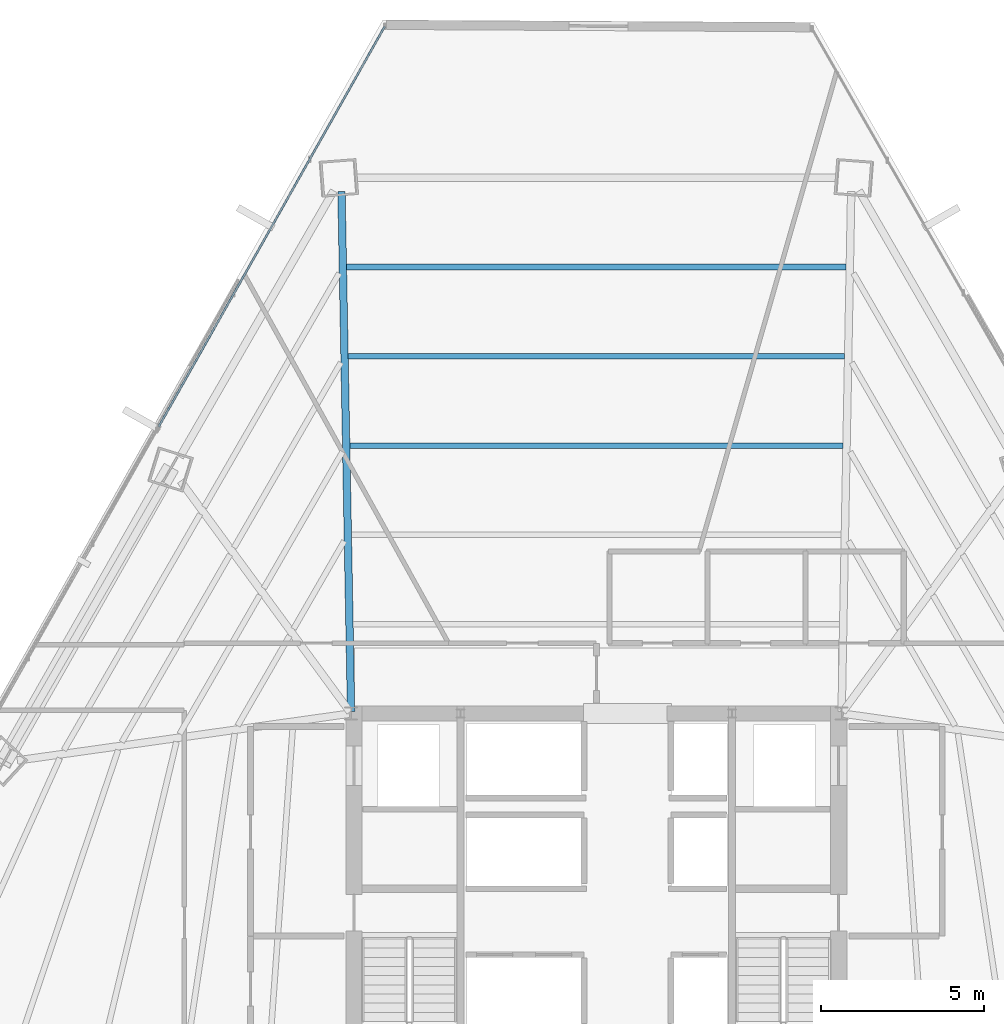
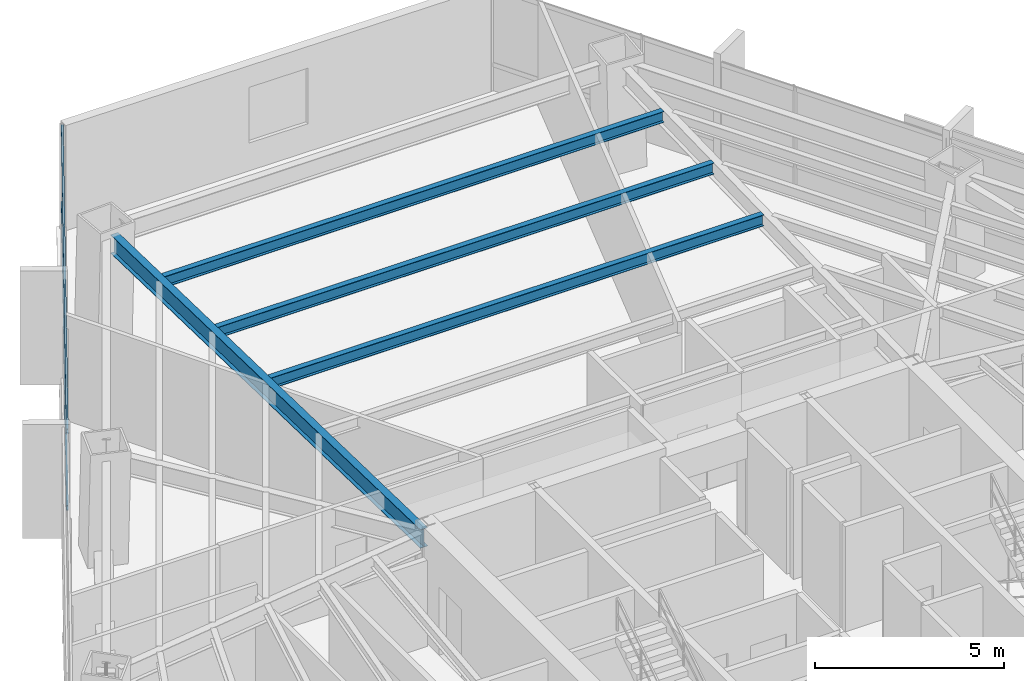
# One storey, part 24 of 35: 4 beams, 2 members, 1 element without a shape of its own.
"""IFC4 building model written with IfcOpenShell, lengths in metres."""

from ifc_helpers import new_model, si_unit, direction, frame, origin, origin_2d, place, context, subcontext, project, spatial, hollow_rectangle, i_section, extrude, source, transform, mapped, material, material_profile, profile_set, type_object, type_shapes, element, aggregate, save


model = new_model("IFC4")

# Units and contexts
model_context = context("Model", 3, precision=1e-05, world=origin(), true_north=direction((0.0, 1.0)))
body_context = subcontext(model_context, "Body", "Model", "MODEL_VIEW")
ifc_project = project(units=[si_unit("LENGTHUNIT", "METRE"), si_unit("AREAUNIT", "SQUARE_METRE"), si_unit("VOLUMEUNIT", "CUBIC_METRE"), si_unit("PLANEANGLEUNIT", "RADIAN"), si_unit("MASSUNIT", "GRAM", prefix="KILO")], contexts=[model_context])

# Site, building, storey
site_placement = place(None, origin())
site = spatial("IfcSite", under=ifc_project, at=site_placement, CompositionType="ELEMENT")
building_placement = place(site_placement, origin())
building = spatial("IfcBuilding", under=site, at=building_placement, Name="Caelisora Broadcast Tower", CompositionType="ELEMENT")
storey_placement = place(building_placement, frame((0.0, 0.0, 87.14990234375)))
storey = spatial("IfcBuildingStorey", under=building, at=storey_placement, Name="L22", CompositionType="ELEMENT", Elevation=87.14990234375)

# Beams
ifc_material_1 = material(Name="Steel Grade 350 (AS/NZS 3679.1)", Category="steel")
ifc_material_profile_1 = material_profile(ifc_material_1, i_section(OverallWidth=0.22802734375, OverallDepth=0.602294921875, WebThickness=0.010498046875, FlangeThickness=0.014892578125, at=origin_2d()), Name="Steel Grade 350 (AS/NZS 3679.1)")
ifc_profile_set_1 = profile_set([ifc_material_profile_1], Name="Steel Grade 350 (AS/NZS 3679.1)")
beam_type_1 = type_object("IfcBeamType", Name="PG04", PredefinedType="BEAM", material=ifc_profile_set_1)
shared_shape_1 = source(origin(), body_context, "Body", "SweptSolid", [
    extrude(i_section(OverallWidth=0.22802734375, OverallDepth=0.602294921875, WebThickness=0.010498046875, FlangeThickness=0.014892578125, at=origin_2d()), origin(), (0.0, 0.0, 1.0), 15.906005859375),
])
type_shapes(beam_type_1, [shared_shape_1])
beam_1_placement = place(storey_placement, frame((30.498779296875, 30.06005859375, 3.098876953125), z_axis=(-0.018418735536, 0.999830360702, 0.0), x_axis=(-0.999830360702, -0.018418735536, 0.0)))
element("IfcBeam", 1, at=beam_1_placement, inside=storey, type_object=beam_type_1, Name="L22 beam PG04", PredefinedType="BEAM", context=body_context, shape_type="MappedRepresentation", body=[
    mapped(shared_shape_1, transform((0.0, 0.0, 0.0), scale=1.0)),
])
ifc_material_profile_2 = material_profile(ifc_material_1, i_section(OverallWidth=0.172119140625, OverallDepth=0.358642578125, WebThickness=0.008056640625, FlangeThickness=0.012939453125, at=origin_2d()), Name="Steel Grade 350 (AS/NZS 3679.1)")
ifc_profile_set_2 = profile_set([ifc_material_profile_2], Name="Steel Grade 350 (AS/NZS 3679.1)")
beam_type_2 = type_object("IfcBeamType", Name="SB02", PredefinedType="JOIST", material=ifc_profile_set_2)
shared_shape_2 = source(origin(), body_context, "Body", "SweptSolid", [
    extrude(i_section(OverallWidth=0.172119140625, OverallDepth=0.358642578125, WebThickness=0.008056640625, FlangeThickness=0.012939453125, at=origin_2d()), origin(), (0.0, 0.0, 1.0), 15.07958984375),
])
beam_2_placement = place(storey_placement, frame((45.539794921875, 38.191650390625, 3.220703125), z_axis=(-1.0, 0.0, 0.0), x_axis=(0.0, -1.0, 0.0)))
element("IfcBeam", 2, at=beam_2_placement, inside=storey, type_object=beam_type_2, Name="L22 beam SB02", PredefinedType="JOIST", context=body_context, shape_type="MappedRepresentation", body=[
    mapped(shared_shape_2, transform((0.0, 0.0, 0.0), scale=1.0)),
])
shared_shape_3 = source(origin(), body_context, "Body", "SweptSolid", [
    extrude(i_section(OverallWidth=0.172119140625, OverallDepth=0.358642578125, WebThickness=0.008056640625, FlangeThickness=0.012939453125, at=origin_2d()), origin(), (0.0, 0.0, 1.0), 15.18017578125),
])
beam_3_placement = place(storey_placement, frame((45.590087890625, 40.922119140625, 3.220703125), z_axis=(-1.0, 0.0, 0.0), x_axis=(0.0, -1.0, 0.0)))
element("IfcBeam", 3, at=beam_3_placement, inside=storey, type_object=beam_type_2, Name="L22 beam SB02", PredefinedType="JOIST", context=body_context, shape_type="MappedRepresentation", body=[
    mapped(shared_shape_3, transform((0.0, 0.0, 0.0), scale=1.0)),
])
shared_shape_4 = source(origin(), body_context, "Body", "SweptSolid", [
    extrude(i_section(OverallWidth=0.172119140625, OverallDepth=0.358642578125, WebThickness=0.008056640625, FlangeThickness=0.012939453125, at=origin_2d()), origin(), (0.0, 0.0, 1.0), 15.28076171875),
])
type_shapes(beam_type_2, [shared_shape_2, shared_shape_3, shared_shape_4])
beam_4_placement = place(storey_placement, frame((45.640380859375, 43.652587890625, 3.220703125), z_axis=(-1.0, 0.0, 0.0), x_axis=(0.0, -1.0, 0.0)))
element("IfcBeam", 4, at=beam_4_placement, inside=storey, type_object=beam_type_2, Name="L22 beam SB02", PredefinedType="JOIST", context=body_context, shape_type="MappedRepresentation", body=[
    mapped(shared_shape_4, transform((0.0, 0.0, 0.0), scale=1.0)),
])

# Curtain wall, members
ifc_material_2 = material(Name="Unitised Aluminium and Low-E Glass Curtain Wall", Category="glass")
curtain_wall_type = type_object("IfcCurtainWallType", Name="CW-Z2", PredefinedType="NOTDEFINED", material=ifc_material_2)
curtain_wall_placement = place(storey_placement, origin())
curtain_wall = element("IfcCurtainWall", 5, at=curtain_wall_placement, inside=storey, type_object=curtain_wall_type, Name="L22 curtain wall CW-Z2", PredefinedType="NOTDEFINED")
ifc_material_3 = material(Name="Aluminium 6063-T6 Anodised Terracotta Bronze", Category="aluminium")
ifc_material_profile_3 = material_profile(ifc_material_3, hollow_rectangle(XDim=0.06005859375, YDim=0.14990234375, WallThickness=0.00341796875, at=origin_2d()), Name="Aluminium 6063-T6 Anodised Terracotta Bronze")
ifc_profile_set_3 = profile_set([ifc_material_profile_3], Name="Aluminium 6063-T6 Anodised Terracotta Bronze")
member_type = type_object("IfcMemberType", Name="CWT-02", PredefinedType="USERDEFINED", material=ifc_profile_set_3)
shared_shape_5 = source(origin(), body_context, "Body", "SweptSolid", [
    extrude(hollow_rectangle(XDim=0.06005859375, YDim=0.14990234375, WallThickness=0.00341796875, at=origin_2d()), origin(), (0.0, 0.0, 1.0), 14.0693359375),
])
type_shapes(member_type, [shared_shape_5])
member_1_placement = place(storey_placement, frame((24.611572265625, 38.762939453125, 0.85009765625), z_axis=(0.491774765043, 0.870722447435, 0.0), x_axis=(-0.870722447435, 0.491774765043, 0.0)))
member_1 = element("IfcMember", 6, at=member_1_placement, type_object=member_type, Name="L22-CW-B11 transom #1", ObjectType="TRANSOM", PredefinedType="USERDEFINED", context=body_context, shape_type="MappedRepresentation", body=[
    mapped(shared_shape_5, transform((0.0, 0.0, 0.0), scale=1.0)),
])
member_2_placement = place(storey_placement, frame((24.611572265625, 38.762939453125, 3.320068359375), z_axis=(0.491774765043, 0.870722447435, 0.0), x_axis=(-0.870722447435, 0.491774765043, 0.0)))
member_2 = element("IfcMember", 7, at=member_2_placement, type_object=member_type, Name="L22-CW-B11 transom #2", ObjectType="TRANSOM", PredefinedType="USERDEFINED", context=body_context, shape_type="MappedRepresentation", body=[
    mapped(shared_shape_5, transform((0.0, 0.0, 0.0), scale=1.0)),
])
aggregate(curtain_wall, [member_1, member_2])

save(model, "model.ifc")
